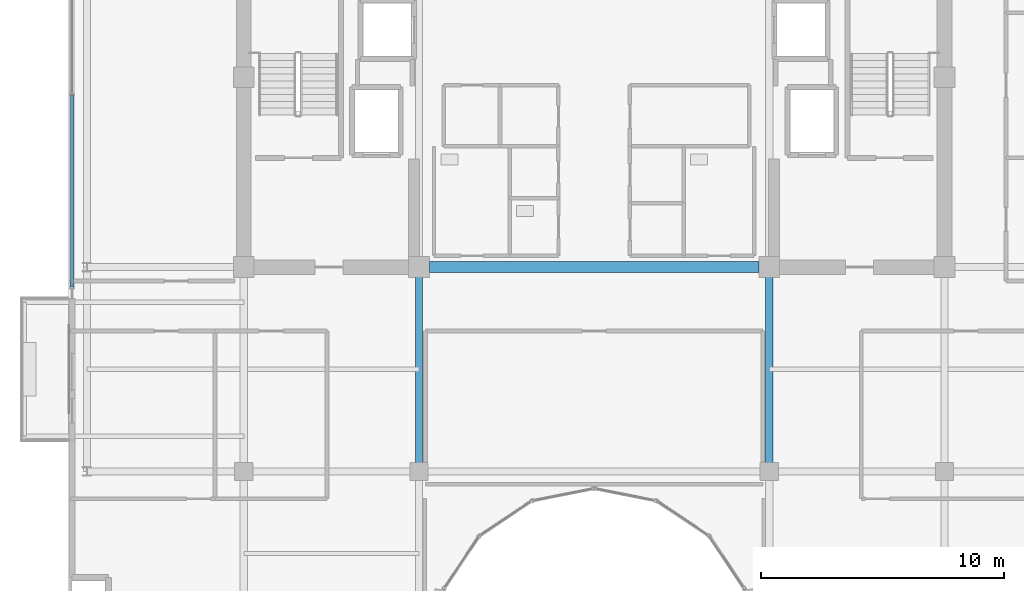
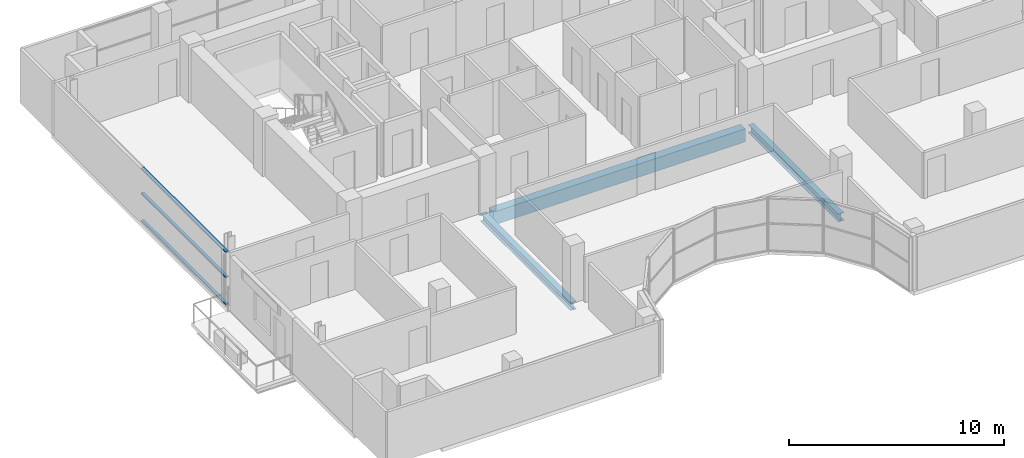
# One storey, part 8 of 28: 3 beams, 3 members, 1 element without a shape of its own.
"""IFC4 building model written with IfcOpenShell, lengths in metres."""

from ifc_helpers import new_model, si_unit, direction, frame, origin, origin_2d, place, context, subcontext, project, spatial, rectangle, hollow_rectangle, i_section, extrude, source, transform, mapped, material, layer, layer_set, material_profile, profile_set, type_object, element, aggregate, save


model = new_model("IFC4")

# Units and contexts
model_context = context("Model", 3, precision=1e-05, world=origin(), true_north=direction((0.0, 1.0)))
body_context = subcontext(model_context, "Body", "Model", "MODEL_VIEW")
ifc_project = project(units=[si_unit("LENGTHUNIT", "METRE"), si_unit("AREAUNIT", "SQUARE_METRE"), si_unit("VOLUMEUNIT", "CUBIC_METRE"), si_unit("PLANEANGLEUNIT", "RADIAN"), si_unit("MASSUNIT", "GRAM", prefix="KILO")], contexts=[model_context])

# Site, building, storey
site_placement = place(None, origin())
site = spatial("IfcSite", under=ifc_project, at=site_placement, CompositionType="ELEMENT")
building_placement = place(site_placement, origin())
building = spatial("IfcBuilding", under=site, at=building_placement, Name="Zarnakvel Exchange Tower", CompositionType="ELEMENT")
storey_placement = place(building_placement, frame((0.0, 0.0, 261.699951171875)))
storey = spatial("IfcBuildingStorey", under=building, at=storey_placement, Name="L74", CompositionType="ELEMENT", Elevation=261.699951171875)

# Beams
ifc_material_1 = material(Name="Concrete C50/60", Category="concrete")
ifc_material_profile_1 = material_profile(ifc_material_1, rectangle(XDim=0.449951171875, YDim=0.75, at=origin_2d()))
ifc_profile_set_1 = profile_set([ifc_material_profile_1], Name="Concrete C50/60")
beam_type_1 = type_object("IfcBeamType", Name="CB-03", PredefinedType="LINTEL", material=ifc_profile_set_1)
beam_placement = place(storey_placement, frame((-6.77490234375, -1.199951171875, -0.599853515625), z_axis=(1.0, 0.0, 0.0), x_axis=(0.0, 1.0, 0.0)))
element("IfcBeam", 1, at=beam_placement, inside=storey, type_object=beam_type_1, Name="L74 Rear Core South Coupling Beam (CB-03)", PredefinedType="LINTEL", context=body_context, shape_type="SweptSolid", body=[
    extrude(rectangle(XDim=0.449951171875, YDim=0.75, at=origin_2d()), origin(), (0.0, 0.0, 1.0), 13.5498046875),
])
ifc_material_2 = material(Name="Steel S355", Category="steel")
ifc_material_profile_2 = material_profile(ifc_material_2, i_section(OverallWidth=0.300048828125, OverallDepth=0.449951171875, WebThickness=0.013916015625, FlangeThickness=0.02587890625, FilletRadius=0.027099609375, at=origin_2d()))
ifc_profile_set_2 = profile_set([ifc_material_profile_2], Name="Steel S355")
beam_type_2 = type_object("IfcBeamType", Name="G-07", PredefinedType="BEAM", material=ifc_profile_set_2)
for number, where, z_axis, x_axis, name in (
    (2, (-7.199951171875, -9.60009765625, -0.449951171875), (0.0, 1.0, 0.0), (-1.0, 0.0, 0.0), "L74 Tower N-S Frame Beam"),
    (3, (7.199951171875, -9.60009765625, -0.449951171875), (0.0, 1.0, 0.0), (-1.0, 0.0, 0.0), "L74 Tower N-S Frame Beam"),
):
    element("IfcBeam", number, at=place(storey_placement, frame(where, z_axis=z_axis, x_axis=x_axis)), inside=storey, type_object=beam_type_2, Name=name, PredefinedType="BEAM", context=body_context, shape_type="SweptSolid", body=[
        extrude(i_section(OverallWidth=0.300048828125, OverallDepth=0.449951171875, WebThickness=0.013916015625, FlangeThickness=0.02587890625, FilletRadius=0.027099609375, at=origin_2d()), origin(), (0.0, 0.0, 1.0), 8.400146484375),
    ])

# Curtain wall, members
ifc_material_3 = material(Name="Architectural Bronze Anodised Aluminium", Category="aluminium")
ifc_layer = layer(ifc_material_3, 0.199951171875)
ifc_layer_set = layer_set([ifc_layer], Name="Architectural Bronze Anodised Aluminium")
curtain_wall_type = type_object("IfcCurtainWallType", Name="CW-04", PredefinedType="NOTDEFINED", material=ifc_layer_set)
curtain_wall_placement = place(storey_placement, origin())
curtain_wall = element("IfcCurtainWall", 4, at=curtain_wall_placement, inside=storey, type_object=curtain_wall_type, Name="L74 Curtain Wall CW-L74-WN (CW-04)", PredefinedType="NOTDEFINED")
ifc_material_profile_3 = material_profile(ifc_material_3, hollow_rectangle(XDim=0.159912109375, YDim=0.074951171875, WallThickness=0.00390625, at=origin_2d()))
ifc_profile_set_3 = profile_set([ifc_material_profile_3], Name="Architectural Bronze Anodised Aluminium")
member_type = type_object("IfcMemberType", Name="CWT-04", PredefinedType="USERDEFINED", material=ifc_profile_set_3)
shared_shape = source(origin(), body_context, "Body", "SweptSolid", [
    extrude(hollow_rectangle(XDim=0.159912109375, YDim=0.074951171875, WallThickness=0.00390625, at=origin_2d()), origin(), (0.0, 0.0, 1.0), 7.887451171875),
])
member_1_placement = place(storey_placement, frame((-21.4599609375, -2.02490234375, 0.03759765625), z_axis=(0.0, 1.0, 0.0), x_axis=(-1.0, 0.0, 0.0)))
member_1 = element("IfcMember", 5, at=member_1_placement, type_object=member_type, Name="CW-04 transom 1.1", ObjectType="TRANSOM", PredefinedType="USERDEFINED", context=body_context, shape_type="MappedRepresentation", body=[
    mapped(shared_shape, transform((0.0, 0.0, 0.0), x_axis=(1.0, 0.0, 0.0), y_axis=(0.0, 1.0, 0.0), z_axis=(0.0, 0.0, 1.0), scale=1.0)),
])
member_2_placement = place(storey_placement, frame((-21.4599609375, -2.02490234375, 1.588623046875), z_axis=(0.0, 1.0, 0.0), x_axis=(-1.0, 0.0, 0.0)))
member_2 = element("IfcMember", 6, at=member_2_placement, type_object=member_type, Name="CW-04 transom 1.2", ObjectType="TRANSOM", PredefinedType="USERDEFINED", context=body_context, shape_type="MappedRepresentation", body=[
    mapped(shared_shape, transform((0.0, 0.0, 0.0), x_axis=(1.0, 0.0, 0.0), y_axis=(0.0, 1.0, 0.0), z_axis=(0.0, 0.0, 1.0), scale=1.0)),
])
member_3_placement = place(storey_placement, frame((-21.4599609375, -2.02490234375, 3.017578125), z_axis=(0.0, 1.0, 0.0), x_axis=(-1.0, 0.0, 0.0)))
member_3 = element("IfcMember", 7, at=member_3_placement, type_object=member_type, Name="CW-04 transom 1.3", ObjectType="TRANSOM", PredefinedType="USERDEFINED", context=body_context, shape_type="MappedRepresentation", body=[
    mapped(shared_shape, transform((0.0, 0.0, 0.0), x_axis=(1.0, 0.0, 0.0), y_axis=(0.0, 1.0, 0.0), z_axis=(0.0, 0.0, 1.0), scale=1.0)),
])
aggregate(curtain_wall, [member_1, member_2, member_3])

save(model, "model.ifc")
